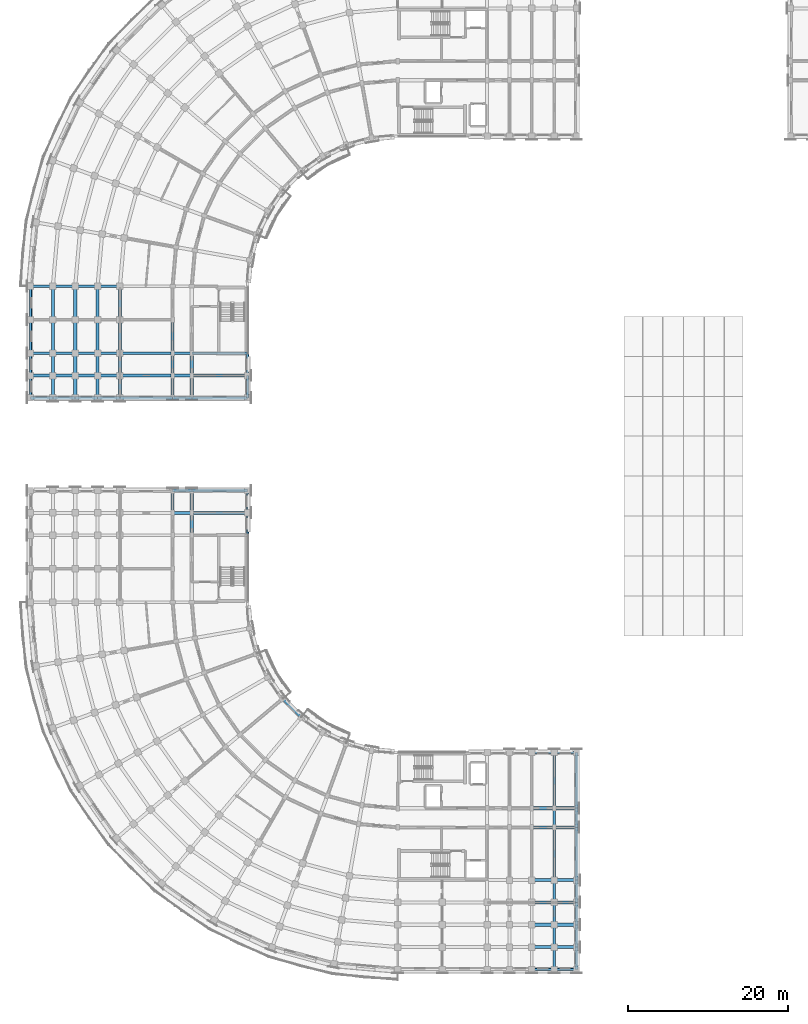
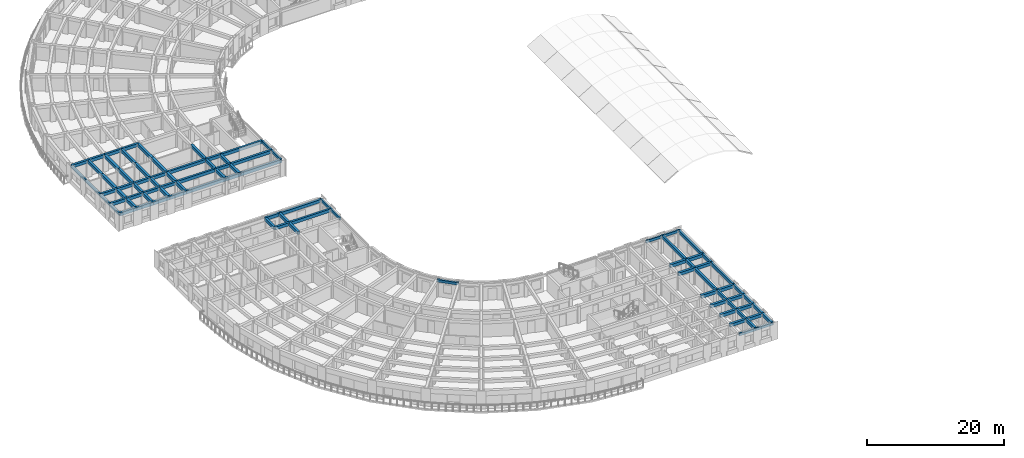
# One storey, part 6 of 54: 92 beams.
"""IFC4 building model written with IfcOpenShell, lengths in metres."""

from ifc_helpers import new_model, si_unit, direction, frame, origin, origin_2d, place, context, subcontext, project, spatial, rectangle, extrude, material, material_profile, profile_set, type_object, element, save


model = new_model("IFC4")

# Units and contexts
model_context = context("Model", 3, precision=1e-05, world=origin(), true_north=direction((0.0, 1.0)))
body_context = subcontext(model_context, "Body", "Model", "MODEL_VIEW")
ifc_project = project(units=[si_unit("LENGTHUNIT", "METRE"), si_unit("AREAUNIT", "SQUARE_METRE"), si_unit("VOLUMEUNIT", "CUBIC_METRE"), si_unit("PLANEANGLEUNIT", "RADIAN"), si_unit("MASSUNIT", "GRAM", prefix="KILO")], contexts=[model_context])

# Site, building, storey
site_placement = place(None, origin())
site = spatial("IfcSite", under=ifc_project, at=site_placement, CompositionType="ELEMENT")
building_placement = place(site_placement, origin())
building = spatial("IfcBuilding", under=site, at=building_placement, Name="Kiranvali Square Residences", CompositionType="ELEMENT")
storey_placement = place(building_placement, frame((0.0, 0.0, 15.0)))
storey = spatial("IfcBuildingStorey", under=building, at=storey_placement, Name="L04", CompositionType="ELEMENT", Elevation=15.0)

# Beams
ifc_material_1 = material(Name="Concrete M40 (40 MPa)", Category="concrete")
ifc_material_profile_1 = material_profile(ifc_material_1, rectangle(XDim=0.35009765625, YDim=0.550048828125, at=origin_2d()), Name="RC 350x550")
ifc_profile_set_1 = profile_set([ifc_material_profile_1], Name="Concrete M40 (40 MPa)")
beam_type_1 = type_object("IfcBeamType", Name="BM-M40-350x550", PredefinedType="BEAM", material=ifc_profile_set_1)
beam_1_placement = place(storey_placement, frame((13.39990234375, 87.800048828125, 2.655029296875), z_axis=(-1.0, 0.0, 0.0), x_axis=(0.0, -1.0, 0.0)))
element("IfcBeam", 1, at=beam_1_placement, inside=storey, type_object=beam_type_1, Name="L04 beam BM-A-L04-A2T0-34", PredefinedType="BEAM", context=body_context, shape_type="SweptSolid", body=[
    extrude(rectangle(XDim=0.35009765625, YDim=0.550048828125, at=origin_2d()), origin(), (0.0, 0.0, 1.0), 2.7998046875),
])
for number, where, z_axis, x_axis, name in (
    (2, (10.60009765625, 87.800048828125, 2.655029296875), (-1.0, 0.0, 0.0), (0.0, -1.0, 0.0), "L04 beam BM-A-L04-A2T0-45"),
    (3, (7.800048828125, 87.800048828125, 2.655029296875), (-1.0, 0.0, 0.0), (0.0, -1.0, 0.0), "L04 beam BM-A-L04-A2T0-56"),
    (4, (5.0, 87.800048828125, 2.655029296875), (-1.0, 0.0, 0.0), (0.0, -1.0, 0.0), "L04 beam BM-A-L04-A2T0-67"),
):
    element("IfcBeam", number, at=place(storey_placement, frame(where, z_axis=z_axis, x_axis=x_axis)), inside=storey, type_object=beam_type_1, Name=name, PredefinedType="BEAM", context=body_context, shape_type="SweptSolid", body=[
        extrude(rectangle(XDim=0.35009765625, YDim=0.550048828125, at=origin_2d()), origin(), (0.0, 0.0, 1.0), 2.800048828125),
    ])
beam_2_placement = place(storey_placement, frame((29.39990234375, 79.39990234375, 2.655029296875), z_axis=(-1.0, 0.0, 0.0), x_axis=(0.0, -1.0, 0.0)))
element("IfcBeam", 5, at=beam_2_placement, inside=storey, type_object=beam_type_1, Name="L04 beam BM-A-L04-A2T1-01", PredefinedType="BEAM", context=body_context, shape_type="SweptSolid", body=[
    extrude(rectangle(XDim=0.35009765625, YDim=0.550048828125, at=origin_2d()), origin(), (0.0, 0.0, 1.0), 7.0),
])
beam_3_placement = place(storey_placement, frame((22.39990234375, 79.39990234375, 2.655029296875), z_axis=(-1.0, 0.0, 0.0), x_axis=(0.0, -1.0, 0.0)))
element("IfcBeam", 6, at=beam_3_placement, inside=storey, type_object=beam_type_1, Name="L04 beam BM-A-L04-A2T1-12", PredefinedType="BEAM", context=body_context, shape_type="SweptSolid", body=[
    extrude(rectangle(XDim=0.35009765625, YDim=0.550048828125, at=origin_2d()), origin(), (0.0, 0.0, 1.0), 2.39990234375),
])
beam_4_placement = place(storey_placement, frame((20.0, 79.39990234375, 2.655029296875), z_axis=(-1.0, 0.0, 0.0), x_axis=(0.0, -1.0, 0.0)))
element("IfcBeam", 7, at=beam_4_placement, inside=storey, type_object=beam_type_1, Name="L04 beam BM-A-L04-A2T1-23", PredefinedType="BEAM", context=body_context, shape_type="SweptSolid", body=[
    extrude(rectangle(XDim=0.35009765625, YDim=0.550048828125, at=origin_2d()), origin(), (0.0, 0.0, 1.0), 6.60009765625),
])
beam_5_placement = place(storey_placement, frame((13.39990234375, 79.39990234375, 2.655029296875), z_axis=(-1.0, 0.0, 0.0), x_axis=(0.0, -1.0, 0.0)))
element("IfcBeam", 8, at=beam_5_placement, inside=storey, type_object=beam_type_1, Name="L04 beam BM-A-L04-A2T1-34", PredefinedType="BEAM", context=body_context, shape_type="SweptSolid", body=[
    extrude(rectangle(XDim=0.35009765625, YDim=0.550048828125, at=origin_2d()), origin(), (0.0, 0.0, 1.0), 2.7998046875),
])
for number, where, z_axis, x_axis, name in (
    (9, (10.60009765625, 79.39990234375, 2.655029296875), (-1.0, 0.0, 0.0), (0.0, -1.0, 0.0), "L04 beam BM-A-L04-A2T1-45"),
    (10, (7.800048828125, 79.39990234375, 2.655029296875), (-1.0, 0.0, 0.0), (0.0, -1.0, 0.0), "L04 beam BM-A-L04-A2T1-56"),
    (11, (5.0, 79.39990234375, 2.655029296875), (-1.0, 0.0, 0.0), (0.0, -1.0, 0.0), "L04 beam BM-A-L04-A2T1-67"),
):
    element("IfcBeam", number, at=place(storey_placement, frame(where, z_axis=z_axis, x_axis=x_axis)), inside=storey, type_object=beam_type_1, Name=name, PredefinedType="BEAM", context=body_context, shape_type="SweptSolid", body=[
        extrude(rectangle(XDim=0.35009765625, YDim=0.550048828125, at=origin_2d()), origin(), (0.0, 0.0, 1.0), 2.800048828125),
    ])
beam_6_placement = place(storey_placement, frame((29.39990234375, 76.60009765625, 2.655029296875), z_axis=(-1.0, 0.0, 0.0), x_axis=(0.0, -1.0, 0.0)))
element("IfcBeam", 12, at=beam_6_placement, inside=storey, type_object=beam_type_1, Name="L04 beam BM-A-L04-A2T2-01", PredefinedType="BEAM", context=body_context, shape_type="SweptSolid", body=[
    extrude(rectangle(XDim=0.35009765625, YDim=0.550048828125, at=origin_2d()), origin(), (0.0, 0.0, 1.0), 7.0),
])
beam_7_placement = place(storey_placement, frame((22.39990234375, 76.60009765625, 2.655029296875), z_axis=(-1.0, 0.0, 0.0), x_axis=(0.0, -1.0, 0.0)))
element("IfcBeam", 13, at=beam_7_placement, inside=storey, type_object=beam_type_1, Name="L04 beam BM-A-L04-A2T2-12", PredefinedType="BEAM", context=body_context, shape_type="SweptSolid", body=[
    extrude(rectangle(XDim=0.35009765625, YDim=0.550048828125, at=origin_2d()), origin(), (0.0, 0.0, 1.0), 2.39990234375),
])
beam_8_placement = place(storey_placement, frame((20.0, 76.60009765625, 2.655029296875), z_axis=(-1.0, 0.0, 0.0), x_axis=(0.0, -1.0, 0.0)))
element("IfcBeam", 14, at=beam_8_placement, inside=storey, type_object=beam_type_1, Name="L04 beam BM-A-L04-A2T2-23", PredefinedType="BEAM", context=body_context, shape_type="SweptSolid", body=[
    extrude(rectangle(XDim=0.35009765625, YDim=0.550048828125, at=origin_2d()), origin(), (0.0, 0.0, 1.0), 6.60009765625),
])
beam_9_placement = place(storey_placement, frame((13.39990234375, 76.60009765625, 2.655029296875), z_axis=(-1.0, 0.0, 0.0), x_axis=(0.0, -1.0, 0.0)))
element("IfcBeam", 15, at=beam_9_placement, inside=storey, type_object=beam_type_1, Name="L04 beam BM-A-L04-A2T2-34", PredefinedType="BEAM", context=body_context, shape_type="SweptSolid", body=[
    extrude(rectangle(XDim=0.35009765625, YDim=0.550048828125, at=origin_2d()), origin(), (0.0, 0.0, 1.0), 2.7998046875),
])
for number, where, z_axis, x_axis, name in (
    (16, (10.60009765625, 76.60009765625, 2.655029296875), (-1.0, 0.0, 0.0), (0.0, -1.0, 0.0), "L04 beam BM-A-L04-A2T2-45"),
    (17, (7.800048828125, 76.60009765625, 2.655029296875), (-1.0, 0.0, 0.0), (0.0, -1.0, 0.0), "L04 beam BM-A-L04-A2T2-56"),
    (18, (5.0, 76.60009765625, 2.655029296875), (-1.0, 0.0, 0.0), (0.0, -1.0, 0.0), "L04 beam BM-A-L04-A2T2-67"),
):
    element("IfcBeam", number, at=place(storey_placement, frame(where, z_axis=z_axis, x_axis=x_axis)), inside=storey, type_object=beam_type_1, Name=name, PredefinedType="BEAM", context=body_context, shape_type="SweptSolid", body=[
        extrude(rectangle(XDim=0.35009765625, YDim=0.550048828125, at=origin_2d()), origin(), (0.0, 0.0, 1.0), 2.800048828125),
    ])
beam_10_placement = place(storey_placement, frame((29.39990234375, 73.800048828125, 2.655029296875), z_axis=(-1.0, 0.0, 0.0), x_axis=(0.0, -1.0, 0.0)))
element("IfcBeam", 19, at=beam_10_placement, inside=storey, type_object=beam_type_1, Name="L04 beam BM-A-L04-A2T3-01", PredefinedType="BEAM", context=body_context, shape_type="SweptSolid", body=[
    extrude(rectangle(XDim=0.35009765625, YDim=0.550048828125, at=origin_2d()), origin(), (0.0, 0.0, 1.0), 7.0),
])
beam_11_placement = place(storey_placement, frame((22.39990234375, 73.800048828125, 2.655029296875), z_axis=(-1.0, 0.0, 0.0), x_axis=(0.0, -1.0, 0.0)))
element("IfcBeam", 20, at=beam_11_placement, inside=storey, type_object=beam_type_1, Name="L04 beam BM-A-L04-A2T3-12", PredefinedType="BEAM", context=body_context, shape_type="SweptSolid", body=[
    extrude(rectangle(XDim=0.35009765625, YDim=0.550048828125, at=origin_2d()), origin(), (0.0, 0.0, 1.0), 2.39990234375),
])
beam_12_placement = place(storey_placement, frame((20.0, 73.800048828125, 2.655029296875), z_axis=(-1.0, 0.0, 0.0), x_axis=(0.0, -1.0, 0.0)))
element("IfcBeam", 21, at=beam_12_placement, inside=storey, type_object=beam_type_1, Name="L04 beam BM-A-L04-A2T3-23", PredefinedType="BEAM", context=body_context, shape_type="SweptSolid", body=[
    extrude(rectangle(XDim=0.35009765625, YDim=0.550048828125, at=origin_2d()), origin(), (0.0, 0.0, 1.0), 6.60009765625),
])
beam_13_placement = place(storey_placement, frame((13.39990234375, 73.800048828125, 2.655029296875), z_axis=(-1.0, 0.0, 0.0), x_axis=(0.0, -1.0, 0.0)))
element("IfcBeam", 22, at=beam_13_placement, inside=storey, type_object=beam_type_1, Name="L04 beam BM-A-L04-A2T3-34", PredefinedType="BEAM", context=body_context, shape_type="SweptSolid", body=[
    extrude(rectangle(XDim=0.35009765625, YDim=0.550048828125, at=origin_2d()), origin(), (0.0, 0.0, 1.0), 2.7998046875),
])
for number, where, z_axis, x_axis, name in (
    (23, (10.60009765625, 73.800048828125, 2.655029296875), (-1.0, 0.0, 0.0), (0.0, -1.0, 0.0), "L04 beam BM-A-L04-A2T3-45"),
    (24, (7.800048828125, 73.800048828125, 2.655029296875), (-1.0, 0.0, 0.0), (0.0, -1.0, 0.0), "L04 beam BM-A-L04-A2T3-56"),
    (25, (5.0, 73.800048828125, 2.655029296875), (-1.0, 0.0, 0.0), (0.0, -1.0, 0.0), "L04 beam BM-A-L04-A2T3-67"),
):
    element("IfcBeam", number, at=place(storey_placement, frame(where, z_axis=z_axis, x_axis=x_axis)), inside=storey, type_object=beam_type_1, Name=name, PredefinedType="BEAM", context=body_context, shape_type="SweptSolid", body=[
        extrude(rectangle(XDim=0.35009765625, YDim=0.550048828125, at=origin_2d()), origin(), (0.0, 0.0, 1.0), 2.800048828125),
    ])
beam_14_placement = place(storey_placement, frame((67.800048828125, 29.39990234375, 2.655029296875), z_axis=(0.0, -1.0, 0.0), x_axis=(1.0, 0.0, 0.0)))
element("IfcBeam", 26, at=beam_14_placement, inside=storey, type_object=beam_type_1, Name="L04 beam BM-C-L04-A1T4-01", PredefinedType="BEAM", context=body_context, shape_type="SweptSolid", body=[
    extrude(rectangle(XDim=0.35009765625, YDim=0.550048828125, at=origin_2d()), origin(), (0.0, 0.0, 1.0), 7.0),
])
beam_15_placement = place(storey_placement, frame((67.800048828125, 22.39990234375, 2.655029296875), z_axis=(0.0, -1.0, 0.0), x_axis=(1.0, 0.0, 0.0)))
element("IfcBeam", 27, at=beam_15_placement, inside=storey, type_object=beam_type_1, Name="L04 beam BM-C-L04-A1T4-12", PredefinedType="BEAM", context=body_context, shape_type="SweptSolid", body=[
    extrude(rectangle(XDim=0.35009765625, YDim=0.550048828125, at=origin_2d()), origin(), (0.0, 0.0, 1.0), 2.39990234375),
])
beam_16_placement = place(storey_placement, frame((67.800048828125, 20.0, 2.655029296875), z_axis=(0.0, -1.0, 0.0), x_axis=(1.0, 0.0, 0.0)))
element("IfcBeam", 28, at=beam_16_placement, inside=storey, type_object=beam_type_1, Name="L04 beam BM-C-L04-A1T4-23", PredefinedType="BEAM", context=body_context, shape_type="SweptSolid", body=[
    extrude(rectangle(XDim=0.35009765625, YDim=0.550048828125, at=origin_2d()), origin(), (0.0, 0.0, 1.0), 6.60009765625),
])
beam_17_placement = place(storey_placement, frame((67.800048828125, 13.39990234375, 2.655029296875), z_axis=(0.0, -1.0, 0.0), x_axis=(1.0, 0.0, 0.0)))
element("IfcBeam", 29, at=beam_17_placement, inside=storey, type_object=beam_type_1, Name="L04 beam BM-C-L04-A1T4-34", PredefinedType="BEAM", context=body_context, shape_type="SweptSolid", body=[
    extrude(rectangle(XDim=0.35009765625, YDim=0.550048828125, at=origin_2d()), origin(), (0.0, 0.0, 1.0), 2.7998046875),
])
for number, where, z_axis, x_axis, name in (
    (30, (67.800048828125, 10.60009765625, 2.655029296875), (0.0, -1.0, 0.0), (1.0, 0.0, 0.0), "L04 beam BM-C-L04-A1T4-45"),
    (31, (67.800048828125, 7.800048828125, 2.655029296875), (0.0, -1.0, 0.0), (1.0, 0.0, 0.0), "L04 beam BM-C-L04-A1T4-56"),
    (32, (67.800048828125, 5.0, 2.655029296875), (0.0, -1.0, 0.0), (1.0, 0.0, 0.0), "L04 beam BM-C-L04-A1T4-67"),
):
    element("IfcBeam", number, at=place(storey_placement, frame(where, z_axis=z_axis, x_axis=x_axis)), inside=storey, type_object=beam_type_1, Name=name, PredefinedType="BEAM", context=body_context, shape_type="SweptSolid", body=[
        extrude(rectangle(XDim=0.35009765625, YDim=0.550048828125, at=origin_2d()), origin(), (0.0, 0.0, 1.0), 2.800048828125),
    ])
beam_18_placement = place(storey_placement, frame((70.60009765625, 29.39990234375, 2.655029296875), z_axis=(0.0, -1.0, 0.0), x_axis=(1.0, 0.0, 0.0)))
element("IfcBeam", 33, at=beam_18_placement, inside=storey, type_object=beam_type_1, Name="L04 beam BM-C-L04-A1T5-01", PredefinedType="BEAM", context=body_context, shape_type="SweptSolid", body=[
    extrude(rectangle(XDim=0.35009765625, YDim=0.550048828125, at=origin_2d()), origin(), (0.0, 0.0, 1.0), 7.0),
])
beam_19_placement = place(storey_placement, frame((70.60009765625, 22.39990234375, 2.655029296875), z_axis=(0.0, -1.0, 0.0), x_axis=(1.0, 0.0, 0.0)))
element("IfcBeam", 34, at=beam_19_placement, inside=storey, type_object=beam_type_1, Name="L04 beam BM-C-L04-A1T5-12", PredefinedType="BEAM", context=body_context, shape_type="SweptSolid", body=[
    extrude(rectangle(XDim=0.35009765625, YDim=0.550048828125, at=origin_2d()), origin(), (0.0, 0.0, 1.0), 2.39990234375),
])
beam_20_placement = place(storey_placement, frame((70.60009765625, 20.0, 2.655029296875), z_axis=(0.0, -1.0, 0.0), x_axis=(1.0, 0.0, 0.0)))
element("IfcBeam", 35, at=beam_20_placement, inside=storey, type_object=beam_type_1, Name="L04 beam BM-C-L04-A1T5-23", PredefinedType="BEAM", context=body_context, shape_type="SweptSolid", body=[
    extrude(rectangle(XDim=0.35009765625, YDim=0.550048828125, at=origin_2d()), origin(), (0.0, 0.0, 1.0), 6.60009765625),
])
beam_21_placement = place(storey_placement, frame((70.60009765625, 13.39990234375, 2.655029296875), z_axis=(0.0, -1.0, 0.0), x_axis=(1.0, 0.0, 0.0)))
element("IfcBeam", 36, at=beam_21_placement, inside=storey, type_object=beam_type_1, Name="L04 beam BM-C-L04-A1T5-34", PredefinedType="BEAM", context=body_context, shape_type="SweptSolid", body=[
    extrude(rectangle(XDim=0.35009765625, YDim=0.550048828125, at=origin_2d()), origin(), (0.0, 0.0, 1.0), 2.7998046875),
])
for number, where, z_axis, x_axis, name in (
    (37, (70.60009765625, 10.60009765625, 2.655029296875), (0.0, -1.0, 0.0), (1.0, 0.0, 0.0), "L04 beam BM-C-L04-A1T5-45"),
    (38, (70.60009765625, 7.800048828125, 2.655029296875), (0.0, -1.0, 0.0), (1.0, 0.0, 0.0), "L04 beam BM-C-L04-A1T5-56"),
    (39, (70.60009765625, 5.0, 2.655029296875), (0.0, -1.0, 0.0), (1.0, 0.0, 0.0), "L04 beam BM-C-L04-A1T5-67"),
):
    element("IfcBeam", number, at=place(storey_placement, frame(where, z_axis=z_axis, x_axis=x_axis)), inside=storey, type_object=beam_type_1, Name=name, PredefinedType="BEAM", context=body_context, shape_type="SweptSolid", body=[
        extrude(rectangle(XDim=0.35009765625, YDim=0.550048828125, at=origin_2d()), origin(), (0.0, 0.0, 1.0), 2.800048828125),
    ])
beam_22_placement = place(storey_placement, frame((29.39990234375, 59.39990234375, 2.655029296875), z_axis=(-1.0, 0.0, 0.0), x_axis=(0.0, -1.0, 0.0)))
element("IfcBeam", 40, at=beam_22_placement, inside=storey, type_object=beam_type_1, Name="L04 beam BM-C-L04-A2T2-01", PredefinedType="BEAM", context=body_context, shape_type="SweptSolid", body=[
    extrude(rectangle(XDim=0.35009765625, YDim=0.550048828125, at=origin_2d()), origin(), (0.0, 0.0, 1.0), 7.0),
])
beam_23_placement = place(storey_placement, frame((22.39990234375, 59.39990234375, 2.655029296875), z_axis=(-1.0, 0.0, 0.0), x_axis=(0.0, -1.0, 0.0)))
element("IfcBeam", 41, at=beam_23_placement, inside=storey, type_object=beam_type_1, Name="L04 beam BM-C-L04-A2T2-12", PredefinedType="BEAM", context=body_context, shape_type="SweptSolid", body=[
    extrude(rectangle(XDim=0.35009765625, YDim=0.550048828125, at=origin_2d()), origin(), (0.0, 0.0, 1.0), 2.39990234375),
])
beam_24_placement = place(storey_placement, frame((29.39990234375, 62.199951171875, 2.655029296875), z_axis=(-1.0, 0.0, 0.0), x_axis=(0.0, -1.0, 0.0)))
element("IfcBeam", 42, at=beam_24_placement, inside=storey, type_object=beam_type_1, Name="L04 beam BM-C-L04-A2T3-01", PredefinedType="BEAM", context=body_context, shape_type="SweptSolid", body=[
    extrude(rectangle(XDim=0.35009765625, YDim=0.550048828125, at=origin_2d()), origin(), (0.0, 0.0, 1.0), 7.0),
])
beam_25_placement = place(storey_placement, frame((22.39990234375, 62.199951171875, 2.655029296875), z_axis=(-1.0, 0.0, 0.0), x_axis=(0.0, -1.0, 0.0)))
element("IfcBeam", 43, at=beam_25_placement, inside=storey, type_object=beam_type_1, Name="L04 beam BM-C-L04-A2T3-12", PredefinedType="BEAM", context=body_context, shape_type="SweptSolid", body=[
    extrude(rectangle(XDim=0.35009765625, YDim=0.550048828125, at=origin_2d()), origin(), (0.0, 0.0, 1.0), 2.39990234375),
])
ifc_material_2 = material(Name="Concrete M45 (45 MPa)", Category="concrete")
ifc_material_profile_2 = material_profile(ifc_material_2, rectangle(XDim=0.39990234375, YDim=0.550048828125, at=origin_2d()), Name="RC 400x550")
ifc_profile_set_2 = profile_set([ifc_material_profile_2], Name="Concrete M45 (45 MPa)")
beam_type_2 = type_object("IfcBeamType", Name="BM-M45-400x550", PredefinedType="BEAM", material=ifc_profile_set_2)
beam_26_placement = place(storey_placement, frame((22.39990234375, 79.39990234375, 2.655029296875), z_axis=(0.0, -1.0, 0.0), x_axis=(1.0, 0.0, 0.0)))
element("IfcBeam", 44, at=beam_26_placement, inside=storey, type_object=beam_type_2, Name="L04 beam BM-A-L04-A2V1-R1", PredefinedType="BEAM", context=body_context, shape_type="SweptSolid", body=[
    extrude(rectangle(XDim=0.39990234375, YDim=0.550048828125, at=origin_2d()), origin(), (0.0, 0.0, 1.0), 2.7998046875),
])
beam_27_placement = place(storey_placement, frame((22.39990234375, 76.60009765625, 2.655029296875), z_axis=(0.0, -1.0, 0.0), x_axis=(1.0, 0.0, 0.0)))
element("IfcBeam", 45, at=beam_27_placement, inside=storey, type_object=beam_type_2, Name="L04 beam BM-A-L04-A2V2-R1", PredefinedType="BEAM", context=body_context, shape_type="SweptSolid", body=[
    extrude(rectangle(XDim=0.39990234375, YDim=0.550048828125, at=origin_2d()), origin(), (0.0, 0.0, 1.0), 2.800048828125),
])
beam_28_placement = place(storey_placement, frame((20.0, 83.60009765625, 2.655029296875), z_axis=(0.0, -1.0, 0.0), x_axis=(1.0, 0.0, 0.0)))
element("IfcBeam", 46, at=beam_28_placement, inside=storey, type_object=beam_type_2, Name="L04 beam BM-A-L04-A2V1-R2", PredefinedType="BEAM", context=body_context, shape_type="SweptSolid", body=[
    extrude(rectangle(XDim=0.39990234375, YDim=0.550048828125, at=origin_2d()), origin(), (0.0, 0.0, 1.0), 4.2001953125),
])
beam_29_placement = place(storey_placement, frame((20.0, 79.39990234375, 2.655029296875), z_axis=(0.0, -1.0, 0.0), x_axis=(1.0, 0.0, 0.0)))
element("IfcBeam", 47, at=beam_29_placement, inside=storey, type_object=beam_type_2, Name="L04 beam BM-A-L04-A2V2-R2", PredefinedType="BEAM", context=body_context, shape_type="SweptSolid", body=[
    extrude(rectangle(XDim=0.39990234375, YDim=0.550048828125, at=origin_2d()), origin(), (0.0, 0.0, 1.0), 2.7998046875),
])
beam_30_placement = place(storey_placement, frame((20.0, 76.60009765625, 2.655029296875), z_axis=(0.0, -1.0, 0.0), x_axis=(1.0, 0.0, 0.0)))
element("IfcBeam", 48, at=beam_30_placement, inside=storey, type_object=beam_type_2, Name="L04 beam BM-A-L04-A2V3-R2", PredefinedType="BEAM", context=body_context, shape_type="SweptSolid", body=[
    extrude(rectangle(XDim=0.39990234375, YDim=0.550048828125, at=origin_2d()), origin(), (0.0, 0.0, 1.0), 2.800048828125),
])
beam_31_placement = place(storey_placement, frame((13.39990234375, 87.800048828125, 2.655029296875), z_axis=(0.0, -1.0, 0.0), x_axis=(1.0, 0.0, 0.0)))
element("IfcBeam", 49, at=beam_31_placement, inside=storey, type_object=beam_type_2, Name="L04 beam BM-A-L04-A2V0-R3", PredefinedType="BEAM", context=body_context, shape_type="SweptSolid", body=[
    extrude(rectangle(XDim=0.39990234375, YDim=0.550048828125, at=origin_2d()), origin(), (0.0, 0.0, 1.0), 4.199951171875),
])
beam_32_placement = place(storey_placement, frame((13.39990234375, 83.60009765625, 2.655029296875), z_axis=(0.0, -1.0, 0.0), x_axis=(1.0, 0.0, 0.0)))
element("IfcBeam", 50, at=beam_32_placement, inside=storey, type_object=beam_type_2, Name="L04 beam BM-A-L04-A2V1-R3", PredefinedType="BEAM", context=body_context, shape_type="SweptSolid", body=[
    extrude(rectangle(XDim=0.39990234375, YDim=0.550048828125, at=origin_2d()), origin(), (0.0, 0.0, 1.0), 4.2001953125),
])
beam_33_placement = place(storey_placement, frame((13.39990234375, 79.39990234375, 2.655029296875), z_axis=(0.0, -1.0, 0.0), x_axis=(1.0, 0.0, 0.0)))
element("IfcBeam", 51, at=beam_33_placement, inside=storey, type_object=beam_type_2, Name="L04 beam BM-A-L04-A2V2-R3", PredefinedType="BEAM", context=body_context, shape_type="SweptSolid", body=[
    extrude(rectangle(XDim=0.39990234375, YDim=0.550048828125, at=origin_2d()), origin(), (0.0, 0.0, 1.0), 2.7998046875),
])
beam_34_placement = place(storey_placement, frame((13.39990234375, 76.60009765625, 2.655029296875), z_axis=(0.0, -1.0, 0.0), x_axis=(1.0, 0.0, 0.0)))
element("IfcBeam", 52, at=beam_34_placement, inside=storey, type_object=beam_type_2, Name="L04 beam BM-A-L04-A2V3-R3", PredefinedType="BEAM", context=body_context, shape_type="SweptSolid", body=[
    extrude(rectangle(XDim=0.39990234375, YDim=0.550048828125, at=origin_2d()), origin(), (0.0, 0.0, 1.0), 2.800048828125),
])
beam_35_placement = place(storey_placement, frame((10.60009765625, 87.800048828125, 2.655029296875), z_axis=(0.0, -1.0, 0.0), x_axis=(1.0, 0.0, 0.0)))
element("IfcBeam", 53, at=beam_35_placement, inside=storey, type_object=beam_type_2, Name="L04 beam BM-A-L04-A2V0-R4", PredefinedType="BEAM", context=body_context, shape_type="SweptSolid", body=[
    extrude(rectangle(XDim=0.39990234375, YDim=0.550048828125, at=origin_2d()), origin(), (0.0, 0.0, 1.0), 4.199951171875),
])
beam_36_placement = place(storey_placement, frame((10.60009765625, 83.60009765625, 2.655029296875), z_axis=(0.0, -1.0, 0.0), x_axis=(1.0, 0.0, 0.0)))
element("IfcBeam", 54, at=beam_36_placement, inside=storey, type_object=beam_type_2, Name="L04 beam BM-A-L04-A2V1-R4", PredefinedType="BEAM", context=body_context, shape_type="SweptSolid", body=[
    extrude(rectangle(XDim=0.39990234375, YDim=0.550048828125, at=origin_2d()), origin(), (0.0, 0.0, 1.0), 4.2001953125),
])
beam_37_placement = place(storey_placement, frame((10.60009765625, 79.39990234375, 2.655029296875), z_axis=(0.0, -1.0, 0.0), x_axis=(1.0, 0.0, 0.0)))
element("IfcBeam", 55, at=beam_37_placement, inside=storey, type_object=beam_type_2, Name="L04 beam BM-A-L04-A2V2-R4", PredefinedType="BEAM", context=body_context, shape_type="SweptSolid", body=[
    extrude(rectangle(XDim=0.39990234375, YDim=0.550048828125, at=origin_2d()), origin(), (0.0, 0.0, 1.0), 2.7998046875),
])
beam_38_placement = place(storey_placement, frame((10.60009765625, 76.60009765625, 2.655029296875), z_axis=(0.0, -1.0, 0.0), x_axis=(1.0, 0.0, 0.0)))
element("IfcBeam", 56, at=beam_38_placement, inside=storey, type_object=beam_type_2, Name="L04 beam BM-A-L04-A2V3-R4", PredefinedType="BEAM", context=body_context, shape_type="SweptSolid", body=[
    extrude(rectangle(XDim=0.39990234375, YDim=0.550048828125, at=origin_2d()), origin(), (0.0, 0.0, 1.0), 2.800048828125),
])
beam_39_placement = place(storey_placement, frame((7.800048828125, 87.800048828125, 2.655029296875), z_axis=(0.0, -1.0, 0.0), x_axis=(1.0, 0.0, 0.0)))
element("IfcBeam", 57, at=beam_39_placement, inside=storey, type_object=beam_type_2, Name="L04 beam BM-A-L04-A2V0-R5", PredefinedType="BEAM", context=body_context, shape_type="SweptSolid", body=[
    extrude(rectangle(XDim=0.39990234375, YDim=0.550048828125, at=origin_2d()), origin(), (0.0, 0.0, 1.0), 4.199951171875),
])
beam_40_placement = place(storey_placement, frame((7.800048828125, 83.60009765625, 2.655029296875), z_axis=(0.0, -1.0, 0.0), x_axis=(1.0, 0.0, 0.0)))
element("IfcBeam", 58, at=beam_40_placement, inside=storey, type_object=beam_type_2, Name="L04 beam BM-A-L04-A2V1-R5", PredefinedType="BEAM", context=body_context, shape_type="SweptSolid", body=[
    extrude(rectangle(XDim=0.39990234375, YDim=0.550048828125, at=origin_2d()), origin(), (0.0, 0.0, 1.0), 4.2001953125),
])
beam_41_placement = place(storey_placement, frame((7.800048828125, 79.39990234375, 2.655029296875), z_axis=(0.0, -1.0, 0.0), x_axis=(1.0, 0.0, 0.0)))
element("IfcBeam", 59, at=beam_41_placement, inside=storey, type_object=beam_type_2, Name="L04 beam BM-A-L04-A2V2-R5", PredefinedType="BEAM", context=body_context, shape_type="SweptSolid", body=[
    extrude(rectangle(XDim=0.39990234375, YDim=0.550048828125, at=origin_2d()), origin(), (0.0, 0.0, 1.0), 2.7998046875),
])
beam_42_placement = place(storey_placement, frame((7.800048828125, 76.60009765625, 2.655029296875), z_axis=(0.0, -1.0, 0.0), x_axis=(1.0, 0.0, 0.0)))
element("IfcBeam", 60, at=beam_42_placement, inside=storey, type_object=beam_type_2, Name="L04 beam BM-A-L04-A2V3-R5", PredefinedType="BEAM", context=body_context, shape_type="SweptSolid", body=[
    extrude(rectangle(XDim=0.39990234375, YDim=0.550048828125, at=origin_2d()), origin(), (0.0, 0.0, 1.0), 2.800048828125),
])
beam_43_placement = place(storey_placement, frame((5.0, 87.800048828125, 2.655029296875), z_axis=(0.0, -1.0, 0.0), x_axis=(1.0, 0.0, 0.0)))
element("IfcBeam", 61, at=beam_43_placement, inside=storey, type_object=beam_type_2, Name="L04 beam BM-A-L04-A2V0-R6", PredefinedType="BEAM", context=body_context, shape_type="SweptSolid", body=[
    extrude(rectangle(XDim=0.39990234375, YDim=0.550048828125, at=origin_2d()), origin(), (0.0, 0.0, 1.0), 4.199951171875),
])
beam_44_placement = place(storey_placement, frame((5.0, 83.60009765625, 2.655029296875), z_axis=(0.0, -1.0, 0.0), x_axis=(1.0, 0.0, 0.0)))
element("IfcBeam", 62, at=beam_44_placement, inside=storey, type_object=beam_type_2, Name="L04 beam BM-A-L04-A2V1-R6", PredefinedType="BEAM", context=body_context, shape_type="SweptSolid", body=[
    extrude(rectangle(XDim=0.39990234375, YDim=0.550048828125, at=origin_2d()), origin(), (0.0, 0.0, 1.0), 4.2001953125),
])
beam_45_placement = place(storey_placement, frame((5.0, 79.39990234375, 2.655029296875), z_axis=(0.0, -1.0, 0.0), x_axis=(1.0, 0.0, 0.0)))
element("IfcBeam", 63, at=beam_45_placement, inside=storey, type_object=beam_type_2, Name="L04 beam BM-A-L04-A2V2-R6", PredefinedType="BEAM", context=body_context, shape_type="SweptSolid", body=[
    extrude(rectangle(XDim=0.39990234375, YDim=0.550048828125, at=origin_2d()), origin(), (0.0, 0.0, 1.0), 2.7998046875),
])
for number, where, z_axis, x_axis, name in (
    (64, (5.0, 76.60009765625, 2.655029296875), (0.0, -1.0, 0.0), (1.0, 0.0, 0.0), "L04 beam BM-A-L04-A2V3-R6"),
    (65, (65.0, 22.39990234375, 2.655029296875), (1.0, 0.0, 0.0), (0.0, 1.0, 0.0), "L04 beam BM-C-L04-A1U3-R1"),
    (66, (67.800048828125, 22.39990234375, 2.655029296875), (1.0, 0.0, 0.0), (0.0, 1.0, 0.0), "L04 beam BM-C-L04-A1U4-R1"),
    (67, (65.0, 20.0, 2.655029296875), (1.0, 0.0, 0.0), (0.0, 1.0, 0.0), "L04 beam BM-C-L04-A1U3-R2"),
    (68, (67.800048828125, 20.0, 2.655029296875), (1.0, 0.0, 0.0), (0.0, 1.0, 0.0), "L04 beam BM-C-L04-A1U4-R2"),
    (69, (65.0, 13.39990234375, 2.655029296875), (1.0, 0.0, 0.0), (0.0, 1.0, 0.0), "L04 beam BM-C-L04-A1U3-R3"),
    (70, (67.800048828125, 13.39990234375, 2.655029296875), (1.0, 0.0, 0.0), (0.0, 1.0, 0.0), "L04 beam BM-C-L04-A1U4-R3"),
    (71, (65.0, 10.60009765625, 2.655029296875), (1.0, 0.0, 0.0), (0.0, 1.0, 0.0), "L04 beam BM-C-L04-A1U4-R4"),
    (72, (67.800048828125, 10.60009765625, 2.655029296875), (1.0, 0.0, 0.0), (0.0, 1.0, 0.0), "L04 beam BM-C-L04-A1U5-R4"),
    (73, (65.0, 7.800048828125, 2.655029296875), (1.0, 0.0, 0.0), (0.0, 1.0, 0.0), "L04 beam BM-C-L04-A1U4-R5"),
    (74, (67.800048828125, 7.800048828125, 2.655029296875), (1.0, 0.0, 0.0), (0.0, 1.0, 0.0), "L04 beam BM-C-L04-A1U5-R5"),
    (75, (65.0, 5.0, 2.655029296875), (1.0, 0.0, 0.0), (0.0, 1.0, 0.0), "L04 beam BM-C-L04-A1U4-R6"),
    (76, (67.800048828125, 5.0, 2.655029296875), (1.0, 0.0, 0.0), (0.0, 1.0, 0.0), "L04 beam BM-C-L04-A1U5-R6"),
):
    element("IfcBeam", number, at=place(storey_placement, frame(where, z_axis=z_axis, x_axis=x_axis)), inside=storey, type_object=beam_type_2, Name=name, PredefinedType="BEAM", context=body_context, shape_type="SweptSolid", body=[
        extrude(rectangle(XDim=0.39990234375, YDim=0.550048828125, at=origin_2d()), origin(), (0.0, 0.0, 1.0), 2.800048828125),
    ])
beam_46_placement = place(storey_placement, frame((22.39990234375, 56.60009765625, 2.655029296875), z_axis=(0.0, 1.0, 0.0), x_axis=(-1.0, 0.0, 0.0)))
element("IfcBeam", 77, at=beam_46_placement, inside=storey, type_object=beam_type_2, Name="L04 beam BM-C-L04-A2V1-R1", PredefinedType="BEAM", context=body_context, shape_type="SweptSolid", body=[
    extrude(rectangle(XDim=0.39990234375, YDim=0.550048828125, at=origin_2d()), origin(), (0.0, 0.0, 1.0), 2.7998046875),
])
for number, where, z_axis, x_axis, name in (
    (78, (22.39990234375, 59.39990234375, 2.655029296875), (0.0, 1.0, 0.0), (-1.0, 0.0, 0.0), "L04 beam BM-C-L04-A2V2-R1"),
    (79, (20.0, 59.39990234375, 2.655029296875), (0.0, 1.0, 0.0), (-1.0, 0.0, 0.0), "L04 beam BM-C-L04-A2V3-R2"),
):
    element("IfcBeam", number, at=place(storey_placement, frame(where, z_axis=z_axis, x_axis=x_axis)), inside=storey, type_object=beam_type_2, Name=name, PredefinedType="BEAM", context=body_context, shape_type="SweptSolid", body=[
        extrude(rectangle(XDim=0.39990234375, YDim=0.550048828125, at=origin_2d()), origin(), (0.0, 0.0, 1.0), 2.800048828125),
    ])
ifc_material_profile_3 = material_profile(ifc_material_1, rectangle(XDim=0.25, YDim=0.449951171875, at=origin_2d()), Name="RC 250x450")
ifc_profile_set_3 = profile_set([ifc_material_profile_3], Name="Concrete M40 (40 MPa)")
beam_type_3 = type_object("IfcBeamType", Name="SPN-M40-250x450", PredefinedType="SPANDREL", material=ifc_profile_set_3)
beam_47_placement = place(storey_placement, frame((29.39990234375, 79.39990234375, 2.705078125), z_axis=(0.0, -1.0, 0.0), x_axis=(1.0, 0.0, 0.0)))
element("IfcBeam", 80, at=beam_47_placement, inside=storey, type_object=beam_type_3, Name="L04 beam BM-A-L04-A2V1-R0", PredefinedType="SPANDREL", context=body_context, shape_type="SweptSolid", body=[
    extrude(rectangle(XDim=0.25, YDim=0.449951171875, at=origin_2d()), origin(), (0.0, 0.0, 1.0), 2.7998046875),
])
beam_48_placement = place(storey_placement, frame((29.39990234375, 76.60009765625, 2.705078125), z_axis=(0.0, -1.0, 0.0), x_axis=(1.0, 0.0, 0.0)))
element("IfcBeam", 81, at=beam_48_placement, inside=storey, type_object=beam_type_3, Name="L04 beam BM-A-L04-A2V2-R0", PredefinedType="SPANDREL", context=body_context, shape_type="SweptSolid", body=[
    extrude(rectangle(XDim=0.25, YDim=0.449951171875, at=origin_2d()), origin(), (0.0, 0.0, 1.0), 2.800048828125),
])
beam_49_placement = place(storey_placement, frame((2.199951171875, 87.800048828125, 2.705078125), z_axis=(0.0, -1.0, 0.0), x_axis=(1.0, 0.0, 0.0)))
element("IfcBeam", 82, at=beam_49_placement, inside=storey, type_object=beam_type_3, Name="L04 beam BM-A-L04-A2V0-R7", PredefinedType="SPANDREL", context=body_context, shape_type="SweptSolid", body=[
    extrude(rectangle(XDim=0.25, YDim=0.449951171875, at=origin_2d()), origin(), (0.0, 0.0, 1.0), 4.199951171875),
])
beam_50_placement = place(storey_placement, frame((2.199951171875, 83.60009765625, 2.705078125), z_axis=(0.0, -1.0, 0.0), x_axis=(1.0, 0.0, 0.0)))
element("IfcBeam", 83, at=beam_50_placement, inside=storey, type_object=beam_type_3, Name="L04 beam BM-A-L04-A2V1-R7", PredefinedType="SPANDREL", context=body_context, shape_type="SweptSolid", body=[
    extrude(rectangle(XDim=0.25, YDim=0.449951171875, at=origin_2d()), origin(), (0.0, 0.0, 1.0), 4.2001953125),
])
beam_51_placement = place(storey_placement, frame((2.199951171875, 79.39990234375, 2.705078125), z_axis=(0.0, -1.0, 0.0), x_axis=(1.0, 0.0, 0.0)))
element("IfcBeam", 84, at=beam_51_placement, inside=storey, type_object=beam_type_3, Name="L04 beam BM-A-L04-A2V2-R7", PredefinedType="SPANDREL", context=body_context, shape_type="SweptSolid", body=[
    extrude(rectangle(XDim=0.25, YDim=0.449951171875, at=origin_2d()), origin(), (0.0, 0.0, 1.0), 2.7998046875),
])
for number, where, z_axis, x_axis, name in (
    (85, (2.199951171875, 76.60009765625, 2.705078125), (0.0, -1.0, 0.0), (1.0, 0.0, 0.0), "L04 beam BM-A-L04-A2V3-R7"),
    (86, (65.0, 29.39990234375, 2.705078125), (1.0, 0.0, 0.0), (0.0, 1.0, 0.0), "L04 beam BM-C-L04-A1U3-R0"),
    (87, (67.800048828125, 29.39990234375, 2.705078125), (1.0, 0.0, 0.0), (0.0, 1.0, 0.0), "L04 beam BM-C-L04-A1U4-R0"),
    (88, (65.0, 2.199951171875, 2.705078125), (1.0, 0.0, 0.0), (0.0, 1.0, 0.0), "L04 beam BM-C-L04-A1U4-R7"),
    (89, (67.800048828125, 2.199951171875, 2.705078125), (1.0, 0.0, 0.0), (0.0, 1.0, 0.0), "L04 beam BM-C-L04-A1U5-R7"),
):
    element("IfcBeam", number, at=place(storey_placement, frame(where, z_axis=z_axis, x_axis=x_axis)), inside=storey, type_object=beam_type_3, Name=name, PredefinedType="SPANDREL", context=body_context, shape_type="SweptSolid", body=[
        extrude(rectangle(XDim=0.25, YDim=0.449951171875, at=origin_2d()), origin(), (0.0, 0.0, 1.0), 2.800048828125),
    ])
beam_52_placement = place(storey_placement, frame((29.39990234375, 56.60009765625, 2.705078125), z_axis=(0.0, 1.0, 0.0), x_axis=(-1.0, 0.0, 0.0)))
element("IfcBeam", 90, at=beam_52_placement, inside=storey, type_object=beam_type_3, Name="L04 beam BM-C-L04-A2V1-R0", PredefinedType="SPANDREL", context=body_context, shape_type="SweptSolid", body=[
    extrude(rectangle(XDim=0.25, YDim=0.449951171875, at=origin_2d()), origin(), (0.0, 0.0, 1.0), 2.7998046875),
])
beam_53_placement = place(storey_placement, frame((29.39990234375, 59.39990234375, 2.705078125), z_axis=(0.0, 1.0, 0.0), x_axis=(-1.0, 0.0, 0.0)))
element("IfcBeam", 91, at=beam_53_placement, inside=storey, type_object=beam_type_3, Name="L04 beam BM-C-L04-A2V2-R0", PredefinedType="SPANDREL", context=body_context, shape_type="SweptSolid", body=[
    extrude(rectangle(XDim=0.25, YDim=0.449951171875, at=origin_2d()), origin(), (0.0, 0.0, 1.0), 2.800048828125),
])
ifc_material_profile_4 = material_profile(ifc_material_1, rectangle(XDim=0.300048828125, YDim=0.449951171875, at=origin_2d()), Name="RC 300x450")
ifc_profile_set_4 = profile_set([ifc_material_profile_4], Name="Concrete M40 (40 MPa)")
beam_type_4 = type_object("IfcBeamType", Name="SPN-M40-300x450", PredefinedType="SPANDREL", material=ifc_profile_set_4)
beam_54_placement = place(storey_placement, frame((36.115478515625, 33.79833984375, 2.705078125), z_axis=(-0.707106781187, 0.707106781187, 0.0), x_axis=(-0.707106781187, -0.707106781187, 0.0)))
element("IfcBeam", 92, at=beam_54_placement, inside=storey, type_object=beam_type_4, Name="L04 beam BM-C-L04-C04-R0", PredefinedType="SPANDREL", context=body_context, shape_type="SweptSolid", body=[
    extrude(rectangle(XDim=0.300048828125, YDim=0.449951171875, at=origin_2d()), origin(), (0.0, 0.0, 1.0), 3.27685546875),
])

save(model, "model.ifc")
